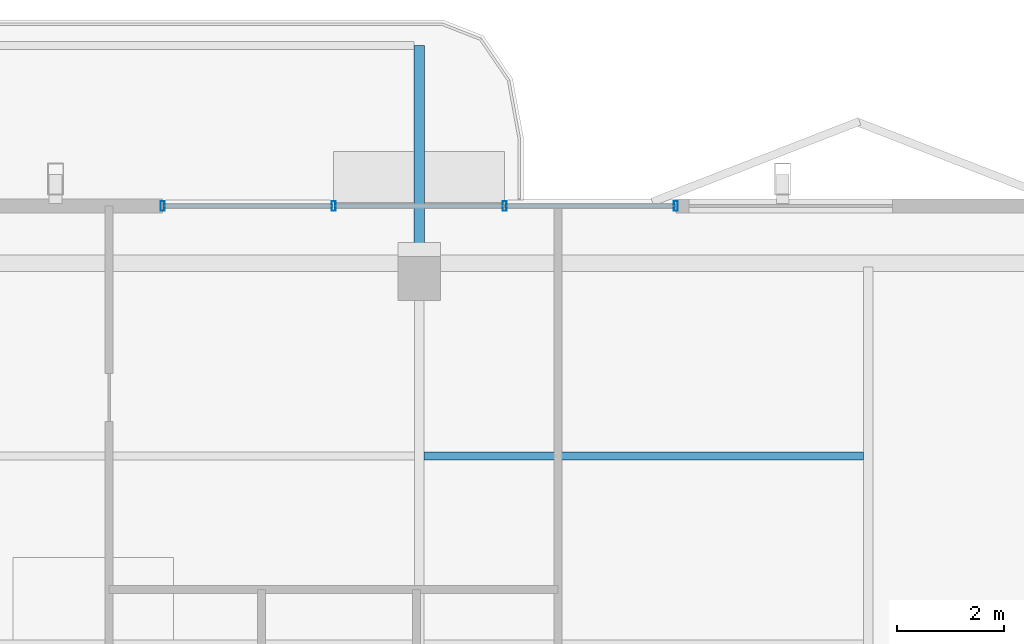
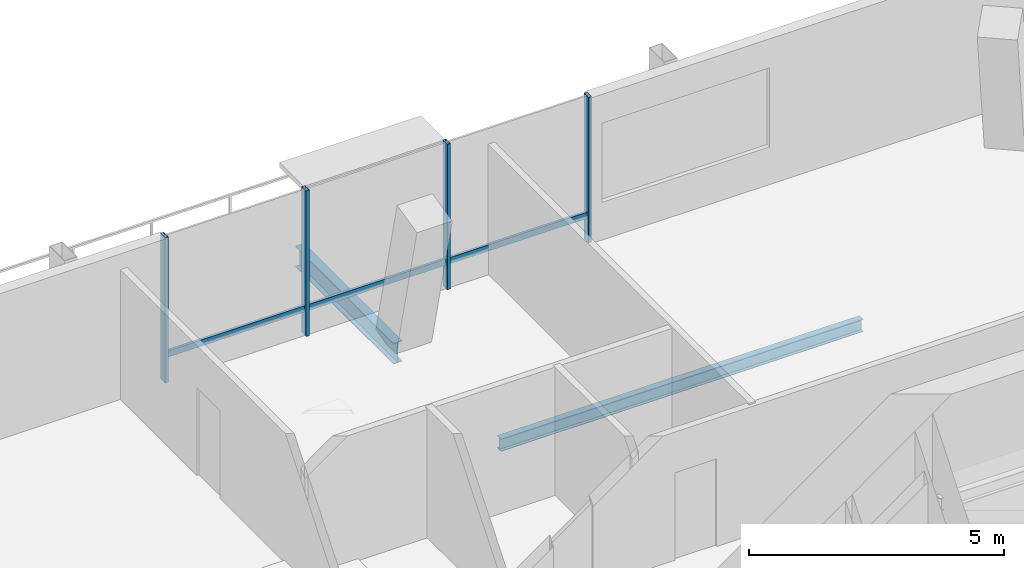
# One storey, part 12 of 20: 7 members, 2 beams, 1 element without a shape of its own.
"""IFC4 building model written with IfcOpenShell, lengths in metres."""

from ifc_helpers import new_model, si_unit, direction, frame, origin, origin_2d, place, context, subcontext, project, spatial, hollow_rectangle, i_section, extrude, material, layer, layer_set, material_profile, profile_set, type_object, element, aggregate, save


model = new_model("IFC4")

# Units and contexts
model_context = context("Model", 3, precision=1e-05, world=origin(), true_north=direction((0.0, 1.0)))
body_context = subcontext(model_context, "Body", "Model", "MODEL_VIEW")
ifc_project = project(units=[si_unit("LENGTHUNIT", "METRE"), si_unit("AREAUNIT", "SQUARE_METRE"), si_unit("VOLUMEUNIT", "CUBIC_METRE"), si_unit("PLANEANGLEUNIT", "RADIAN"), si_unit("MASSUNIT", "GRAM", prefix="KILO")], contexts=[model_context])

# Site, building, storey
site_placement = place(None, origin())
site = spatial("IfcSite", under=ifc_project, at=site_placement, CompositionType="ELEMENT")
building_placement = place(site_placement, origin())
building = spatial("IfcBuilding", under=site, at=building_placement, Name="Belovzor Exchange Tower", CompositionType="ELEMENT")
storey_placement = place(building_placement, frame((0.0, 0.0, 351.75)))
storey = spatial("IfcBuildingStorey", under=building, at=storey_placement, Name="L88", CompositionType="ELEMENT", Elevation=351.75)

# Beams
ifc_material_1 = material(Name="Steel S355", Category="steel")
ifc_material_profile_1 = material_profile(ifc_material_1, i_section(OverallWidth=0.199951171875, OverallDepth=0.5, WebThickness=0.01025390625, FlangeThickness=0.01611328125, at=origin_2d()))
ifc_profile_set_1 = profile_set([ifc_material_profile_1], Name="Steel S355")
beam_type_1 = type_object("IfcBeamType", Name="Planted Balcony Cantilever Beam IPE 500", PredefinedType="BEAM", material=ifc_profile_set_1)
beam_1_placement = place(storey_placement, frame((28.800048828125, 49.1201171875, -0.489990234375), z_axis=(0.0, 1.0, 0.0), x_axis=(-1.0, 0.0, 0.0)))
element("IfcBeam", 1, at=beam_1_placement, inside=storey, type_object=beam_type_1, Name="BC-500 Planted Balcony Cantilever Beam IPE 500", PredefinedType="BEAM", context=body_context, shape_type="SweptSolid", body=[
    extrude(i_section(OverallWidth=0.199951171875, OverallDepth=0.5, WebThickness=0.01025390625, FlangeThickness=0.01611328125, at=origin_2d()), origin(), (0.0, 0.0, 1.0), 3.849853515625),
])
ifc_material_2 = material(Name="Steel S355", Category="steel")
ifc_material_profile_2 = material_profile(ifc_material_2, i_section(OverallWidth=0.14990234375, OverallDepth=0.300048828125, WebThickness=0.007080078125, FlangeThickness=0.0107421875, at=origin_2d()))
ifc_profile_set_2 = profile_set([ifc_material_profile_2], Name="Steel S355")
beam_type_2 = type_object("IfcBeamType", Name="Secondary Trim Floor Joist IPE 300", PredefinedType="BEAM", material=ifc_profile_set_2)
beam_2_placement = place(storey_placement, frame((28.889892578125, 45.297119140625, -0.389892578125), z_axis=(1.0, 0.0, 0.0), x_axis=(0.0, 1.0, 0.0)))
element("IfcBeam", 2, at=beam_2_placement, inside=storey, type_object=beam_type_2, Name="FJ-300 Secondary Trim Floor Joist IPE 300", PredefinedType="BEAM", context=body_context, shape_type="SweptSolid", body=[
    extrude(i_section(OverallWidth=0.14990234375, OverallDepth=0.300048828125, WebThickness=0.007080078125, FlangeThickness=0.0107421875, at=origin_2d()), origin(), (0.0, 0.0, 1.0), 8.22021484375),
])

# Curtain wall, members
ifc_material_3 = material(Name="Anodised Aluminium Framing", Category="aluminium")
ifc_layer = layer(ifc_material_3, 0.179931640625)
ifc_layer_set = layer_set([ifc_layer], Name="Anodised Aluminium Framing")
curtain_wall_type = type_object("IfcCurtainWallType", Name="Recessed Loggia Low-Iron Triple-Glazed Curtain Wall", PredefinedType="NOTDEFINED", material=ifc_layer_set)
curtain_wall_placement = place(storey_placement, origin())
curtain_wall = element("IfcCurtainWall", 3, at=curtain_wall_placement, inside=storey, type_object=curtain_wall_type, Name="CW3 Recessed Loggia Low-Iron Triple-Glazed Curtain Wall L88", PredefinedType="NOTDEFINED")
ifc_material_4 = material(Name="Steel S355", Category="steel")
ifc_material_profile_3 = material_profile(ifc_material_4, hollow_rectangle(XDim=0.074951171875, YDim=0.179931640625, WallThickness=0.0048828125, at=origin_2d()))
ifc_profile_set_3 = profile_set([ifc_material_profile_3], Name="Steel S355")
member_type_1 = type_object("IfcMemberType", Name="Thermally Broken Curtain Wall Mullion 180x75", PredefinedType="MULLION", material=ifc_profile_set_3)
member_1_placement = place(storey_placement, frame((24.0, 49.969970703125, 0.0), z_axis=(0.0, 0.0, 1.0), x_axis=(1.0, 0.0, 0.0)))
member_1 = element("IfcMember", 4, at=member_1_placement, type_object=member_type_1, Name="CW-M180 Curtain Wall Mullion 1", PredefinedType="MULLION", context=body_context, shape_type="SweptSolid", body=[
    extrude(hollow_rectangle(XDim=0.074951171875, YDim=0.179931640625, WallThickness=0.0048828125, at=origin_2d()), origin(), (0.0, 0.0, 1.0), 3.489990234375),
])
member_2_placement = place(storey_placement, frame((27.199951171875, 49.969970703125, 0.0), z_axis=(0.0, 0.0, 1.0), x_axis=(1.0, 0.0, 0.0)))
member_2 = element("IfcMember", 5, at=member_2_placement, type_object=member_type_1, Name="CW-M180 Curtain Wall Mullion 2", PredefinedType="MULLION", context=body_context, shape_type="SweptSolid", body=[
    extrude(hollow_rectangle(XDim=0.074951171875, YDim=0.179931640625, WallThickness=0.0048828125, at=origin_2d()), origin(), (0.0, 0.0, 1.0), 3.489990234375),
])
member_3_placement = place(storey_placement, frame((30.39990234375, 49.969970703125, 0.0), z_axis=(0.0, 0.0, 1.0), x_axis=(1.0, 0.0, 0.0)))
member_3 = element("IfcMember", 6, at=member_3_placement, type_object=member_type_1, Name="CW-M180 Curtain Wall Mullion 3", PredefinedType="MULLION", context=body_context, shape_type="SweptSolid", body=[
    extrude(hollow_rectangle(XDim=0.074951171875, YDim=0.179931640625, WallThickness=0.0048828125, at=origin_2d()), origin(), (0.0, 0.0, 1.0), 3.489990234375),
])
member_4_placement = place(storey_placement, frame((33.60009765625, 49.969970703125, 0.0), z_axis=(0.0, 0.0, 1.0), x_axis=(1.0, 0.0, 0.0)))
member_4 = element("IfcMember", 7, at=member_4_placement, type_object=member_type_1, Name="CW-M180 Curtain Wall Mullion 4", PredefinedType="MULLION", context=body_context, shape_type="SweptSolid", body=[
    extrude(hollow_rectangle(XDim=0.074951171875, YDim=0.179931640625, WallThickness=0.0048828125, at=origin_2d()), origin(), (0.0, 0.0, 1.0), 3.489990234375),
])
ifc_material_5 = material(Name="Steel S355", Category="steel")
ifc_material_profile_4 = material_profile(ifc_material_5, hollow_rectangle(XDim=0.06005859375, YDim=0.14990234375, WallThickness=0.00390625, at=origin_2d()))
ifc_profile_set_4 = profile_set([ifc_material_profile_4], Name="Steel S355")
member_type_2 = type_object("IfcMemberType", Name="Thermally Broken Curtain Wall Transom 150x60", PredefinedType="USERDEFINED", material=ifc_profile_set_4)
member_5_placement = place(storey_placement, frame((24.008056640625, 49.969970703125, 0.6279296875), z_axis=(1.0, 0.0, 0.0), x_axis=(0.0, 1.0, 0.0)))
member_5 = element("IfcMember", 8, at=member_5_placement, type_object=member_type_2, Name="CW-T150 Curtain Wall Transom 1", ObjectType="TRANSOM", PredefinedType="USERDEFINED", context=body_context, shape_type="SweptSolid", body=[
    extrude(hollow_rectangle(XDim=0.06005859375, YDim=0.14990234375, WallThickness=0.00390625, at=origin_2d()), origin(), (0.0, 0.0, 1.0), 3.183837890625),
])
member_6_placement = place(storey_placement, frame((27.2080078125, 49.969970703125, 0.6279296875), z_axis=(1.0, 0.0, 0.0), x_axis=(0.0, 1.0, 0.0)))
member_6 = element("IfcMember", 9, at=member_6_placement, type_object=member_type_2, Name="CW-T150 Curtain Wall Transom 2", ObjectType="TRANSOM", PredefinedType="USERDEFINED", context=body_context, shape_type="SweptSolid", body=[
    extrude(hollow_rectangle(XDim=0.06005859375, YDim=0.14990234375, WallThickness=0.00390625, at=origin_2d()), origin(), (0.0, 0.0, 1.0), 3.18408203125),
])
member_7_placement = place(storey_placement, frame((30.407958984375, 49.969970703125, 0.6279296875), z_axis=(1.0, 0.0, 0.0), x_axis=(0.0, 1.0, 0.0)))
member_7 = element("IfcMember", 10, at=member_7_placement, type_object=member_type_2, Name="CW-T150 Curtain Wall Transom 3", ObjectType="TRANSOM", PredefinedType="USERDEFINED", context=body_context, shape_type="SweptSolid", body=[
    extrude(hollow_rectangle(XDim=0.06005859375, YDim=0.14990234375, WallThickness=0.00390625, at=origin_2d()), origin(), (0.0, 0.0, 1.0), 3.18408203125),
])
aggregate(curtain_wall, [member_1, member_2, member_3, member_4, member_5, member_6, member_7])

save(model, "model.ifc")
